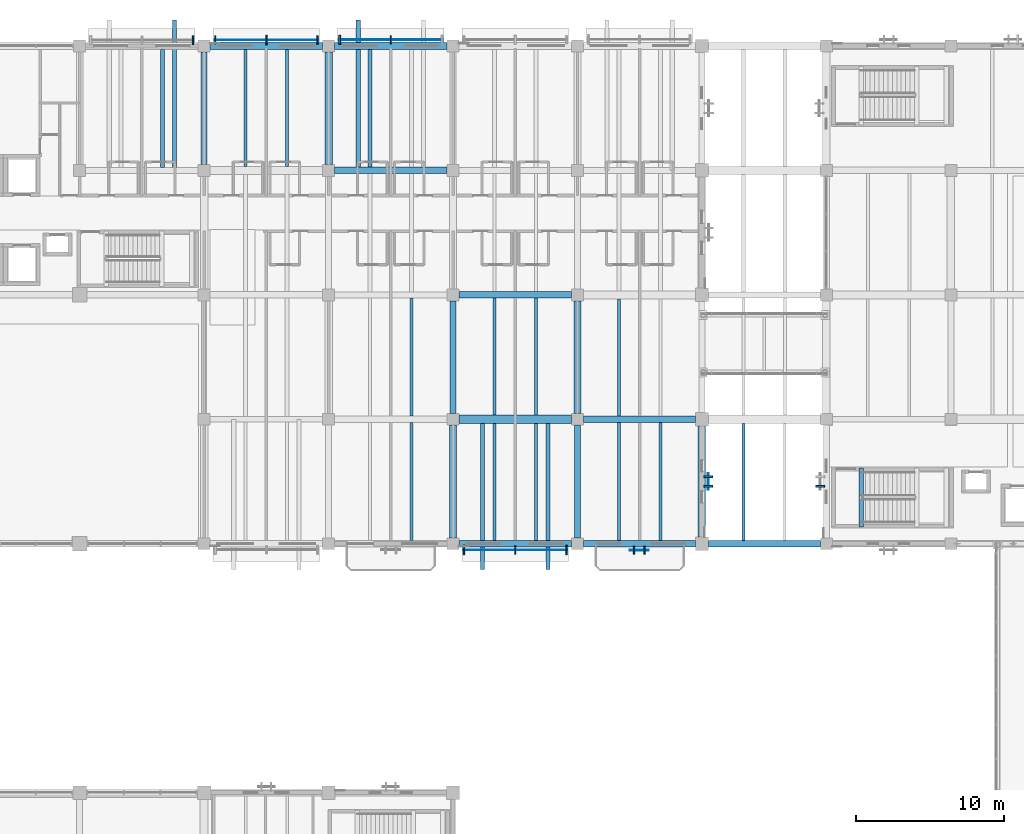
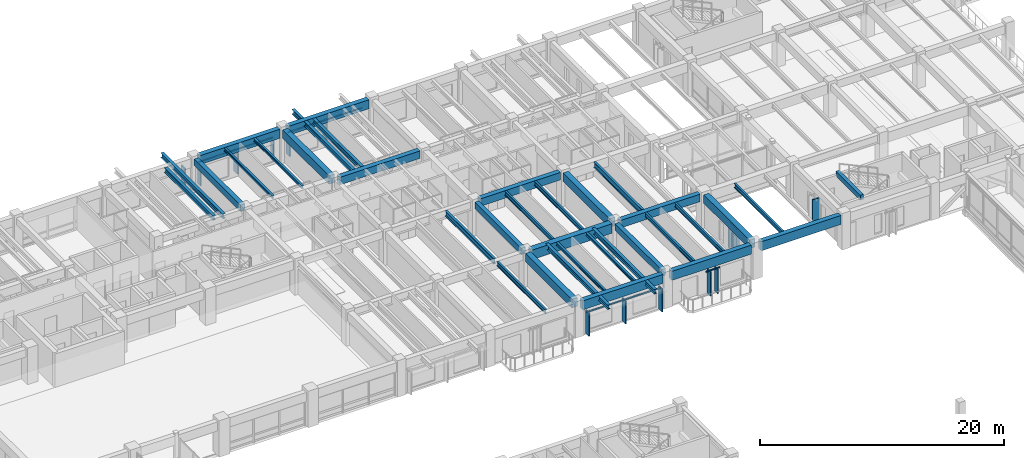
# One storey, part 33 of 118: 35 beams, 19 members, 7 elements without a shape of their own.
"""IFC4 building model written with IfcOpenShell, lengths in metres."""

from ifc_helpers import new_model, si_unit, direction, frame, origin, origin_2d, place, context, subcontext, project, spatial, rectangle, i_section, extrude, material, material_profile, profile_set, type_object, element, aggregate, save


model = new_model("IFC4")

# Units and contexts
model_context = context("Model", 3, precision=1e-05, world=origin(), true_north=direction((0.0, 1.0)))
body_context = subcontext(model_context, "Body", "Model", "MODEL_VIEW")
ifc_project = project(units=[si_unit("LENGTHUNIT", "METRE"), si_unit("AREAUNIT", "SQUARE_METRE"), si_unit("VOLUMEUNIT", "CUBIC_METRE"), si_unit("PLANEANGLEUNIT", "RADIAN"), si_unit("MASSUNIT", "GRAM", prefix="KILO")], contexts=[model_context])

# Site, building, storey
site_placement = place(None, origin())
site = spatial("IfcSite", under=ifc_project, at=site_placement, CompositionType="ELEMENT")
building_placement = place(site_placement, origin())
building = spatial("IfcBuilding", under=site, at=building_placement, Name="Cumbredor Promenade Congress Hotel", CompositionType="ELEMENT")
storey_placement = place(building_placement, frame((0.0, 0.0, 3.919921875)))
storey = spatial("IfcBuildingStorey", under=building, at=storey_placement, Name="L01", CompositionType="ELEMENT", Elevation=3.919921875)

# Beams
ifc_material_1 = material(Name="Concrete C40/50", Category="concrete")
ifc_material_profile_1 = material_profile(ifc_material_1, rectangle(XDim=0.39990234375, YDim=0.64990234375, at=origin_2d()), Name="RC BEAM 400x650")
ifc_profile_set_1 = profile_set([ifc_material_profile_1], Name="Concrete C40/50")
beam_type_1 = type_object("IfcBeamType", Name="BM-RC-400x650", PredefinedType="BEAM", material=ifc_profile_set_1)
for number, where, z_axis, x_axis, name in (
    (1, (50.39990234375, 109.60009765625, 3.03515625), (0.0, 1.0, 0.0), (-1.0, 0.0, 0.0), "L02 Y-Grid Beam 089"),
    (2, (67.199951171875, 92.800048828125, 3.03515625), (0.0, 1.0, 0.0), (-1.0, 0.0, 0.0), "L02 Y-Grid Beam 129"),
):
    element("IfcBeam", number, at=place(storey_placement, frame(where, z_axis=z_axis, x_axis=x_axis)), inside=storey, type_object=beam_type_1, Name=name, PredefinedType="BEAM", context=body_context, shape_type="SweptSolid", body=[
        extrude(rectangle(XDim=0.39990234375, YDim=0.64990234375, at=origin_2d()), origin(), (0.0, 0.0, 1.0), 7.599853515625),
    ])
beam_1_placement = place(storey_placement, frame((75.60009765625, 84.39990234375, 3.03515625), z_axis=(0.0, 1.0, 0.0), x_axis=(-1.0, 0.0, 0.0)))
element("IfcBeam", 3, at=beam_1_placement, inside=storey, type_object=beam_type_1, Name="L02 Y-Grid Beam 145", PredefinedType="BEAM", context=body_context, shape_type="SweptSolid", body=[
    extrude(rectangle(XDim=0.39990234375, YDim=0.64990234375, at=origin_2d()), origin(), (0.0, 0.0, 1.0), 7.60009765625),
])
ifc_material_profile_2 = material_profile(ifc_material_1, rectangle(XDim=0.449951171875, YDim=0.75, at=origin_2d()), Name="RC BEAM 450x750")
ifc_profile_set_2 = profile_set([ifc_material_profile_2], Name="Concrete C40/50")
beam_type_2 = type_object("IfcBeamType", Name="BM-RC-450x750", PredefinedType="BEAM", material=ifc_profile_set_2)
beam_2_placement = place(storey_placement, frame((59.199951171875, 109.199951171875, 2.985107421875), z_axis=(1.0, 0.0, 0.0), x_axis=(0.0, 1.0, 0.0)))
element("IfcBeam", 4, at=beam_2_placement, inside=storey, type_object=beam_type_2, Name="L02 X-Grid Beam 110", PredefinedType="BEAM", context=body_context, shape_type="SweptSolid", body=[
    extrude(rectangle(XDim=0.449951171875, YDim=0.75, at=origin_2d()), origin(), (0.0, 0.0, 1.0), 7.60009765625),
])
beam_3_placement = place(storey_placement, frame((67.60009765625, 100.800048828125, 2.985107421875), z_axis=(1.0, 0.0, 0.0), x_axis=(0.0, 1.0, 0.0)))
element("IfcBeam", 5, at=beam_3_placement, inside=storey, type_object=beam_type_2, Name="L02 X-Grid Beam 130", PredefinedType="BEAM", context=body_context, shape_type="SweptSolid", body=[
    extrude(rectangle(XDim=0.449951171875, YDim=0.75, at=origin_2d()), origin(), (0.0, 0.0, 1.0), 7.599853515625),
])
beam_4_placement = place(storey_placement, frame((76.0, 92.39990234375, 2.985107421875), z_axis=(1.0, 0.0, 0.0), x_axis=(0.0, 1.0, 0.0)))
element("IfcBeam", 6, at=beam_4_placement, inside=storey, type_object=beam_type_2, Name="L02 X-Grid Beam 146", PredefinedType="BEAM", context=body_context, shape_type="SweptSolid", body=[
    extrude(rectangle(XDim=0.449951171875, YDim=0.75, at=origin_2d()), origin(), (0.0, 0.0, 1.0), 7.550048828125),
])
ifc_material_profile_3 = material_profile(ifc_material_1, rectangle(XDim=0.5, YDim=0.85009765625, at=origin_2d()), Name="RC BEAM 500x850")
ifc_profile_set_3 = profile_set([ifc_material_profile_3], Name="Concrete C40/50")
beam_type_3 = type_object("IfcBeamType", Name="BM-RC-500x850", PredefinedType="BEAM", material=ifc_profile_set_3)
beam_5_placement = place(storey_placement, frame((58.800048828125, 109.60009765625, 2.93505859375), z_axis=(0.0, 1.0, 0.0), x_axis=(-1.0, 0.0, 0.0)))
element("IfcBeam", 7, at=beam_5_placement, inside=storey, type_object=beam_type_3, Name="L02 Y-Grid Beam 111", PredefinedType="BEAM", context=body_context, shape_type="SweptSolid", body=[
    extrude(rectangle(XDim=0.5, YDim=0.85009765625, at=origin_2d()), origin(), (0.0, 0.0, 1.0), 7.599853515625),
])
beam_6_placement = place(storey_placement, frame((67.199951171875, 84.39990234375, 2.93505859375), z_axis=(0.0, 1.0, 0.0), x_axis=(-1.0, 0.0, 0.0)))
element("IfcBeam", 8, at=beam_6_placement, inside=storey, type_object=beam_type_3, Name="L02 Y-Grid Beam 127", PredefinedType="BEAM", context=body_context, shape_type="SweptSolid", body=[
    extrude(rectangle(XDim=0.5, YDim=0.85009765625, at=origin_2d()), origin(), (0.0, 0.0, 1.0), 7.60009765625),
])
beam_7_placement = place(storey_placement, frame((75.60009765625, 92.800048828125, 2.93505859375), z_axis=(0.0, 1.0, 0.0), x_axis=(-1.0, 0.0, 0.0)))
element("IfcBeam", 9, at=beam_7_placement, inside=storey, type_object=beam_type_3, Name="L02 Y-Grid Beam 147", PredefinedType="BEAM", context=body_context, shape_type="SweptSolid", body=[
    extrude(rectangle(XDim=0.5, YDim=0.85009765625, at=origin_2d()), origin(), (0.0, 0.0, 1.0), 7.599853515625),
])
beam_8_placement = place(storey_placement, frame((84.0, 84.449951171875, 2.93505859375), z_axis=(0.0, 1.0, 0.0), x_axis=(-1.0, 0.0, 0.0)))
element("IfcBeam", 10, at=beam_8_placement, inside=storey, type_object=beam_type_3, Name="L02 Y-Grid Beam 159", PredefinedType="BEAM", context=body_context, shape_type="SweptSolid", body=[
    extrude(rectangle(XDim=0.5, YDim=0.85009765625, at=origin_2d()), origin(), (0.0, 0.0, 1.0), 7.5),
])
ifc_material_profile_4 = material_profile(ifc_material_1, rectangle(XDim=0.550048828125, YDim=0.949951171875, at=origin_2d()), Name="RC BEAM 550x950")
ifc_profile_set_4 = profile_set([ifc_material_profile_4], Name="Concrete C40/50")
beam_type_4 = type_object("IfcBeamType", Name="BM-RC-550x950", PredefinedType="BEAM", material=ifc_profile_set_4)
beam_9_placement = place(storey_placement, frame((67.60009765625, 92.39990234375, 2.885009765625), z_axis=(1.0, 0.0, 0.0), x_axis=(0.0, 1.0, 0.0)))
element("IfcBeam", 11, at=beam_9_placement, inside=storey, type_object=beam_type_4, Name="L02 X-Grid Beam 128", PredefinedType="BEAM", context=body_context, shape_type="SweptSolid", body=[
    extrude(rectangle(XDim=0.550048828125, YDim=0.949951171875, at=origin_2d()), origin(), (0.0, 0.0, 1.0), 7.599853515625),
])

# Curtain wall, member
ifc_material_2 = material(Name="Thermally broken anodized aluminium and low-E glass", Category="aluminium")
curtain_wall_type = type_object("IfcCurtainWallType", Name="Solar Brise-Soleil Screen Assembly CW-07", PredefinedType="NOTDEFINED", material=ifc_material_2)
curtain_wall_1_placement = place(storey_placement, origin())
curtain_wall_1 = element("IfcCurtainWall", 12, at=curtain_wall_1_placement, inside=storey, type_object=curtain_wall_type, Name="L01 Hospitality Brise-Soleil Screen 020", PredefinedType="NOTDEFINED")
ifc_material_3 = material(Name="Thermally broken anodized aluminium", Category="aluminium")
ifc_material_profile_5 = material_profile(ifc_material_3, rectangle(XDim=0.06494140625, YDim=0.1298828125, at=origin_2d()), Name="ALU TRANSOM 65x130")
ifc_profile_set_5 = profile_set([ifc_material_profile_5], Name="Thermally broken anodized aluminium")
member_type_1 = type_object("IfcMemberType", Name="Curtain Wall Transom TR-01", PredefinedType="USERDEFINED", material=ifc_profile_set_5)
member_1_placement = place(storey_placement, frame((67.90087890625, 83.577392578125, 2.26513671875), z_axis=(1.0, 0.0, 0.0), x_axis=(0.0, 1.0, 0.0)))
member_1 = element("IfcMember", 13, at=member_1_placement, type_object=member_type_1, Name="L01 Brise-Soleil Screen Transom 020", ObjectType="TRANSOM", PredefinedType="USERDEFINED", context=body_context, shape_type="SweptSolid", body=[
    extrude(rectangle(XDim=0.06494140625, YDim=0.1298828125, at=origin_2d()), origin(), (0.0, 0.0, 1.0), 6.998046875),
])

curtain_wall_2_placement = place(storey_placement, origin())
curtain_wall_2 = element("IfcCurtainWall", 14, at=curtain_wall_2_placement, inside=storey, type_object=curtain_wall_type, Name="L01 Veranda Solar Brise-Soleil Screen 301", PredefinedType="NOTDEFINED")
member_2_placement = place(storey_placement, frame((79.125, 83.56494140625, 2.364990234375), z_axis=(1.0, 0.0, 0.0), x_axis=(0.0, 1.0, 0.0)))
member_2 = element("IfcMember", 15, at=member_2_placement, type_object=member_type_1, Name="L01 Brise-Soleil Header Tie 0303", ObjectType="TRANSOM", PredefinedType="USERDEFINED", context=body_context, shape_type="SweptSolid", body=[
    extrude(rectangle(XDim=0.06494140625, YDim=0.1298828125, at=origin_2d()), origin(), (0.0, 0.0, 1.0), 1.300048828125),
])

curtain_wall_3_placement = place(storey_placement, origin())
curtain_wall_3 = element("IfcCurtainWall", 16, at=curtain_wall_3_placement, inside=storey, type_object=curtain_wall_type, Name="L01 Hospitality Brise-Soleil Screen 026", PredefinedType="NOTDEFINED")
member_3_placement = place(storey_placement, frame((51.10107421875, 118.0, 2.26513671875), z_axis=(1.0, 0.0, 0.0), x_axis=(0.0, 1.0, 0.0)))
member_3 = element("IfcMember", 17, at=member_3_placement, type_object=member_type_1, Name="L01 Brise-Soleil Screen Transom 026", ObjectType="TRANSOM", PredefinedType="USERDEFINED", context=body_context, shape_type="SweptSolid", body=[
    extrude(rectangle(XDim=0.06494140625, YDim=0.1298828125, at=origin_2d()), origin(), (0.0, 0.0, 1.0), 6.998046875),
])

curtain_wall_4_placement = place(storey_placement, origin())
curtain_wall_4 = element("IfcCurtainWall", 18, at=curtain_wall_4_placement, inside=storey, type_object=curtain_wall_type, Name="L01 Hospitality Brise-Soleil Screen 027", PredefinedType="NOTDEFINED")
member_4_placement = place(storey_placement, frame((59.5009765625, 118.010009765625, 2.26513671875), z_axis=(1.0, 0.0, 0.0), x_axis=(0.0, 1.0, 0.0)))
member_4 = element("IfcMember", 19, at=member_4_placement, type_object=member_type_1, Name="L01 Brise-Soleil Screen Transom 027", ObjectType="TRANSOM", PredefinedType="USERDEFINED", context=body_context, shape_type="SweptSolid", body=[
    extrude(rectangle(XDim=0.06494140625, YDim=0.1298828125, at=origin_2d()), origin(), (0.0, 0.0, 1.0), 6.998046875),
])

curtain_wall_5_placement = place(storey_placement, origin())
curtain_wall_5 = element("IfcCurtainWall", 20, at=curtain_wall_5_placement, inside=storey, type_object=curtain_wall_type, Name="L01 Pier Brise-Soleil Screen 0343", PredefinedType="NOTDEFINED")
member_5_placement = place(storey_placement, frame((84.422607421875, 87.64990234375, 2.3349609375), z_axis=(0.0, 1.0, 0.0), x_axis=(-1.0, 0.0, 0.0)))
member_5 = element("IfcMember", 21, at=member_5_placement, type_object=member_type_1, Name="L01 Pier Brise-Soleil Header 0345", ObjectType="TRANSOM", PredefinedType="USERDEFINED", context=body_context, shape_type="SweptSolid", body=[
    extrude(rectangle(XDim=0.06494140625, YDim=0.1298828125, at=origin_2d()), origin(), (0.0, 0.0, 1.0), 1.10009765625),
])

# Beams
ifc_material_4 = material(Name="Steel ASTM A992 Grade 50", Category="steel")
ifc_material_profile_6 = material_profile(ifc_material_4, i_section(OverallWidth=0.202880859375, OverallDepth=0.302978515625, WebThickness=0.007568359375, FlangeThickness=0.01318359375, at=origin_2d()), Name="W12X40")
ifc_profile_set_6 = profile_set([ifc_material_profile_6], Name="Steel ASTM A992 Grade 50")
beam_type_5 = type_object("IfcBeamType", Name="JST-W12X40", PredefinedType="JOIST", material=ifc_profile_set_6)
for number, where, z_axis, x_axis, name in (
    (22, (53.199951171875, 109.47509765625, 3.20849609375), (0.0, 1.0, 0.0), (-1.0, 0.0, 0.0), "L02 Secondary Floor Joist 0042"),
    (23, (56.0, 109.47509765625, 3.20849609375), (0.0, 1.0, 0.0), (-1.0, 0.0, 0.0), "L02 Secondary Floor Joist 0043"),
    (24, (70.0, 84.22509765625, 3.20849609375), (0.0, 1.0, 0.0), (-1.0, 0.0, 0.0), "L02 Secondary Floor Joist 0072"),
    (25, (72.800048828125, 84.22509765625, 3.20849609375), (0.0, 1.0, 0.0), (-1.0, 0.0, 0.0), "L02 Secondary Floor Joist 0073"),
):
    element("IfcBeam", number, at=place(storey_placement, frame(where, z_axis=z_axis, x_axis=x_axis)), inside=storey, type_object=beam_type_5, Name=name, PredefinedType="JOIST", context=body_context, shape_type="SweptSolid", body=[
        extrude(i_section(OverallWidth=0.202880859375, OverallDepth=0.302978515625, WebThickness=0.007568359375, FlangeThickness=0.01318359375, at=origin_2d()), origin(), (0.0, 0.0, 1.0), 7.89990234375),
    ])
ifc_material_profile_7 = material_profile(ifc_material_4, i_section(OverallWidth=0.180908203125, OverallDepth=0.4169921875, WebThickness=0.010986328125, FlangeThickness=0.018310546875, at=origin_2d()), Name="W16X57")
ifc_profile_set_7 = profile_set([ifc_material_profile_7], Name="Steel ASTM A992 Grade 50")
beam_type_6 = type_object("IfcBeamType", Name="JST-W16X57", PredefinedType="JOIST", material=ifc_profile_set_7)
beam_10_placement = place(storey_placement, frame((64.39990234375, 84.22509765625, 3.151611328125), z_axis=(0.0, 1.0, 0.0), x_axis=(-1.0, 0.0, 0.0)))
element("IfcBeam", 26, at=beam_10_placement, inside=storey, type_object=beam_type_6, Name="L02 Secondary Floor Joist 0055", PredefinedType="JOIST", context=body_context, shape_type="SweptSolid", body=[
    extrude(i_section(OverallWidth=0.180908203125, OverallDepth=0.4169921875, WebThickness=0.010986328125, FlangeThickness=0.018310546875, at=origin_2d()), origin(), (0.0, 0.0, 1.0), 7.949951171875),
])
for number, where, z_axis, x_axis, name in (
    (27, (70.0, 92.675048828125, 3.151611328125), (0.0, 1.0, 0.0), (-1.0, 0.0, 0.0), "L02 Secondary Floor Joist 0074"),
    (28, (72.800048828125, 92.675048828125, 3.151611328125), (0.0, 1.0, 0.0), (-1.0, 0.0, 0.0), "L02 Secondary Floor Joist 0075"),
):
    element("IfcBeam", number, at=place(storey_placement, frame(where, z_axis=z_axis, x_axis=x_axis)), inside=storey, type_object=beam_type_6, Name=name, PredefinedType="JOIST", context=body_context, shape_type="SweptSolid", body=[
        extrude(i_section(OverallWidth=0.180908203125, OverallDepth=0.4169921875, WebThickness=0.010986328125, FlangeThickness=0.018310546875, at=origin_2d()), origin(), (0.0, 0.0, 1.0), 7.89990234375),
    ])
for number, where, z_axis, x_axis, name in (
    (29, (78.39990234375, 84.22509765625, 3.151611328125), (0.0, 1.0, 0.0), (-1.0, 0.0, 0.0), "L02 Secondary Floor Joist 0084"),
    (30, (81.199951171875, 84.22509765625, 3.151611328125), (0.0, 1.0, 0.0), (-1.0, 0.0, 0.0), "L02 Secondary Floor Joist 0085"),
):
    element("IfcBeam", number, at=place(storey_placement, frame(where, z_axis=z_axis, x_axis=x_axis)), inside=storey, type_object=beam_type_6, Name=name, PredefinedType="JOIST", context=body_context, shape_type="SweptSolid", body=[
        extrude(i_section(OverallWidth=0.180908203125, OverallDepth=0.4169921875, WebThickness=0.010986328125, FlangeThickness=0.018310546875, at=origin_2d()), origin(), (0.0, 0.0, 1.0), 7.949951171875),
    ])
beam_11_placement = place(storey_placement, frame((86.800048828125, 84.22509765625, 3.151611328125), z_axis=(0.0, 1.0, 0.0), x_axis=(-1.0, 0.0, 0.0)))
element("IfcBeam", 31, at=beam_11_placement, inside=storey, type_object=beam_type_6, Name="L02 Secondary Floor Joist 0094", PredefinedType="JOIST", context=body_context, shape_type="SweptSolid", body=[
    extrude(i_section(OverallWidth=0.180908203125, OverallDepth=0.4169921875, WebThickness=0.010986328125, FlangeThickness=0.018310546875, at=origin_2d()), origin(), (0.0, 0.0, 1.0), 7.89990234375),
])
ifc_material_profile_8 = material_profile(ifc_material_4, i_section(OverallWidth=0.280029296875, OverallDepth=0.462890625, WebThickness=0.0107421875, FlangeThickness=0.017333984375, at=origin_2d()), Name="W18X76")
ifc_profile_set_8 = profile_set([ifc_material_profile_8], Name="Steel ASTM A992 Grade 50")
beam_type_7 = type_object("IfcBeamType", Name="JST-W18X76", PredefinedType="JOIST", material=ifc_profile_set_8)
for number, where, z_axis, x_axis, name in (
    (32, (48.39990234375, 109.199951171875, 3.128662109375), (0.0, 1.0, 0.0), (-1.0, 0.0, 0.0), "L02 Balcony Back-Spanned Outrigger Beam 006.2"),
    (33, (60.800048828125, 109.199951171875, 3.128662109375), (0.0, 1.0, 0.0), (-1.0, 0.0, 0.0), "L02 Balcony Back-Spanned Outrigger Beam 007.1"),
):
    element("IfcBeam", number, at=place(storey_placement, frame(where, z_axis=z_axis, x_axis=x_axis)), inside=storey, type_object=beam_type_7, Name=name, PredefinedType="JOIST", context=body_context, shape_type="SweptSolid", body=[
        extrude(i_section(OverallWidth=0.280029296875, OverallDepth=0.462890625, WebThickness=0.0107421875, FlangeThickness=0.017333984375, at=origin_2d()), origin(), (0.0, 0.0, 1.0), 10.150146484375),
    ])
for number, where, z_axis, x_axis, name in (
    (34, (69.199951171875, 82.25, 3.128662109375), (0.0, 1.0, 0.0), (-1.0, 0.0, 0.0), "L02 Balcony Back-Spanned Outrigger Beam 011.1"),
    (35, (73.60009765625, 82.25, 3.128662109375), (0.0, 1.0, 0.0), (-1.0, 0.0, 0.0), "L02 Balcony Back-Spanned Outrigger Beam 011.2"),
):
    element("IfcBeam", number, at=place(storey_placement, frame(where, z_axis=z_axis, x_axis=x_axis)), inside=storey, type_object=beam_type_7, Name=name, PredefinedType="JOIST", context=body_context, shape_type="SweptSolid", body=[
        extrude(i_section(OverallWidth=0.280029296875, OverallDepth=0.462890625, WebThickness=0.0107421875, FlangeThickness=0.017333984375, at=origin_2d()), origin(), (0.0, 0.0, 1.0), 10.14990234375),
    ])
beam_12_placement = place(storey_placement, frame((47.60009765625, 109.39990234375, 3.128662109375), z_axis=(0.0, 1.0, 0.0), x_axis=(-1.0, 0.0, 0.0)))
element("IfcBeam", 36, at=beam_12_placement, inside=storey, type_object=beam_type_7, Name="L02 Secondary Floor Joist 0031", PredefinedType="JOIST", context=body_context, shape_type="SweptSolid", body=[
    extrude(i_section(OverallWidth=0.280029296875, OverallDepth=0.462890625, WebThickness=0.0107421875, FlangeThickness=0.017333984375, at=origin_2d()), origin(), (0.0, 0.0, 1.0), 7.97509765625),
])
beam_13_placement = place(storey_placement, frame((61.60009765625, 109.425048828125, 3.128662109375), z_axis=(0.0, 1.0, 0.0), x_axis=(-1.0, 0.0, 0.0)))
element("IfcBeam", 37, at=beam_13_placement, inside=storey, type_object=beam_type_7, Name="L02 Secondary Floor Joist 0060", PredefinedType="JOIST", context=body_context, shape_type="SweptSolid", body=[
    extrude(i_section(OverallWidth=0.280029296875, OverallDepth=0.462890625, WebThickness=0.0107421875, FlangeThickness=0.017333984375, at=origin_2d()), origin(), (0.0, 0.0, 1.0), 7.949951171875),
])
ifc_material_profile_9 = material_profile(ifc_material_4, i_section(OverallWidth=0.214111328125, OverallDepth=0.549072265625, WebThickness=0.0146484375, FlangeThickness=0.023681640625, at=origin_2d()), Name="W21X93")
ifc_profile_set_9 = profile_set([ifc_material_profile_9], Name="Steel ASTM A992 Grade 50")
beam_type_8 = type_object("IfcBeamType", Name="JST-W21X93", PredefinedType="JOIST", material=ifc_profile_set_9)
beam_14_placement = place(storey_placement, frame((64.39990234375, 92.625, 3.085693359375), z_axis=(0.0, 1.0, 0.0), x_axis=(-1.0, 0.0, 0.0)))
element("IfcBeam", 38, at=beam_14_placement, inside=storey, type_object=beam_type_8, Name="L02 Secondary Floor Joist 0057", PredefinedType="JOIST", context=body_context, shape_type="SweptSolid", body=[
    extrude(i_section(OverallWidth=0.214111328125, OverallDepth=0.549072265625, WebThickness=0.0146484375, FlangeThickness=0.023681640625, at=origin_2d()), origin(), (0.0, 0.0, 1.0), 7.97509765625),
])
beam_15_placement = place(storey_placement, frame((78.39990234375, 92.625, 3.085693359375), z_axis=(0.0, 1.0, 0.0), x_axis=(-1.0, 0.0, 0.0)))
element("IfcBeam", 39, at=beam_15_placement, inside=storey, type_object=beam_type_8, Name="L02 Secondary Floor Joist 0086", PredefinedType="JOIST", context=body_context, shape_type="SweptSolid", body=[
    extrude(i_section(OverallWidth=0.214111328125, OverallDepth=0.549072265625, WebThickness=0.0146484375, FlangeThickness=0.023681640625, at=origin_2d()), origin(), (0.0, 0.0, 1.0), 7.89990234375),
])
ifc_material_profile_10 = material_profile(ifc_material_1, rectangle(XDim=0.300048828125, YDim=0.5, at=origin_2d()), Name="RC LINTEL 300x500")
ifc_profile_set_10 = profile_set([ifc_material_profile_10], Name="Concrete C40/50")
beam_type_9 = type_object("IfcBeamType", Name="LN-RC-300x500", PredefinedType="LINTEL", material=ifc_profile_set_10)
beam_16_placement = place(storey_placement, frame((94.75, 85.1298828125, 3.39013671875), z_axis=(0.0, 1.0, 0.0), x_axis=(-1.0, 0.0, 0.0)))
element("IfcBeam", 40, at=beam_16_placement, inside=storey, type_object=beam_type_9, Name="L02 Stair ST-13 Well Header Trimmer Beam", PredefinedType="LINTEL", context=body_context, shape_type="SweptSolid", body=[
    extrude(rectangle(XDim=0.300048828125, YDim=0.5, at=origin_2d()), origin(), (0.0, 0.0, 1.0), 3.97021484375),
])
ifc_material_profile_11 = material_profile(ifc_material_1, rectangle(XDim=0.449951171875, YDim=0.89990234375, at=origin_2d()), Name="RC SPANDREL 450x900")
ifc_profile_set_11 = profile_set([ifc_material_profile_11], Name="Concrete C40/50")
beam_type_10 = type_object("IfcBeamType", Name="SP-RC-450x900", PredefinedType="SPANDREL", material=ifc_profile_set_11)
beam_17_placement = place(storey_placement, frame((50.800048828125, 117.60009765625, 2.91015625), z_axis=(1.0, 0.0, 0.0), x_axis=(0.0, 1.0, 0.0)))
element("IfcBeam", 41, at=beam_17_placement, inside=storey, type_object=beam_type_10, Name="L02 X-Grid Beam 090", PredefinedType="SPANDREL", context=body_context, shape_type="SweptSolid", body=[
    extrude(rectangle(XDim=0.449951171875, YDim=0.89990234375, at=origin_2d()), origin(), (0.0, 0.0, 1.0), 7.599853515625),
])
beam_18_placement = place(storey_placement, frame((59.199951171875, 117.60009765625, 2.91015625), z_axis=(1.0, 0.0, 0.0), x_axis=(0.0, 1.0, 0.0)))
element("IfcBeam", 42, at=beam_18_placement, inside=storey, type_object=beam_type_10, Name="L02 X-Grid Beam 112", PredefinedType="SPANDREL", context=body_context, shape_type="SweptSolid", body=[
    extrude(rectangle(XDim=0.449951171875, YDim=0.89990234375, at=origin_2d()), origin(), (0.0, 0.0, 1.0), 7.60009765625),
])
beam_19_placement = place(storey_placement, frame((67.60009765625, 84.0, 2.91015625), z_axis=(1.0, 0.0, 0.0), x_axis=(0.0, 1.0, 0.0)))
element("IfcBeam", 43, at=beam_19_placement, inside=storey, type_object=beam_type_10, Name="L02 X-Grid Beam 126", PredefinedType="SPANDREL", context=body_context, shape_type="SweptSolid", body=[
    extrude(rectangle(XDim=0.449951171875, YDim=0.89990234375, at=origin_2d()), origin(), (0.0, 0.0, 1.0), 7.599853515625),
])
for number, where, z_axis, x_axis, name in (
    (44, (76.0, 84.0, 2.91015625), (1.0, 0.0, 0.0), (0.0, 1.0, 0.0), "L02 X-Grid Beam 144"),
    (45, (84.449951171875, 84.0, 2.91015625), (1.0, 0.0, 0.0), (0.0, 1.0, 0.0), "L02 X-Grid Beam 158"),
):
    element("IfcBeam", number, at=place(storey_placement, frame(where, z_axis=z_axis, x_axis=x_axis)), inside=storey, type_object=beam_type_10, Name=name, PredefinedType="SPANDREL", context=body_context, shape_type="SweptSolid", body=[
        extrude(rectangle(XDim=0.449951171875, YDim=0.89990234375, at=origin_2d()), origin(), (0.0, 0.0, 1.0), 7.550048828125),
    ])

# Curtain wall, member
curtain_wall_6_placement = place(storey_placement, origin())
curtain_wall_6 = element("IfcCurtainWall", 46, at=curtain_wall_6_placement, inside=storey, type_object=curtain_wall_type, Name="L01 Pier Brise-Soleil Screen 0265", PredefinedType="NOTDEFINED")
ifc_material_profile_12 = material_profile(ifc_material_3, rectangle(XDim=0.110107421875, YDim=0.6201171875, at=origin_2d()), Name="ARCH FIN 110x620")
ifc_profile_set_12 = profile_set([ifc_material_profile_12], Name="Thermally broken anodized aluminium")
member_type_2 = type_object("IfcMemberType", Name="Vertical Bronze Brise-Soleil Fin BSF-02 110x620", PredefinedType="USERDEFINED", material=ifc_profile_set_12)
member_6_placement = place(storey_placement, frame((91.9775390625, 87.8798828125, 0.02001953125), z_axis=(0.0, 0.0, 1.0), x_axis=(0.0, 1.0, 0.0)))
member_6 = element("IfcMember", 47, at=member_6_placement, type_object=member_type_2, Name="L01 Pier Brise-Soleil Fin 0266", ObjectType="SOLAR FIN", PredefinedType="USERDEFINED", context=body_context, shape_type="SweptSolid", body=[
    extrude(rectangle(XDim=0.110107421875, YDim=0.6201171875, at=origin_2d()), origin(), (0.0, 0.0, 1.0), 2.55517578125),
])
aggregate(curtain_wall_6, [member_6])

# Member
member_7_placement = place(storey_placement, frame((67.950927734375, 83.577392578125, 0.02001953125), z_axis=(0.0, 0.0, 1.0), x_axis=(1.0, 0.0, 0.0)))
member_7 = element("IfcMember", 48, at=member_7_placement, type_object=member_type_2, Name="L01 Vertical Brise-Soleil Fin 0298", ObjectType="SOLAR FIN", PredefinedType="USERDEFINED", context=body_context, shape_type="SweptSolid", body=[
    extrude(rectangle(XDim=0.110107421875, YDim=0.6201171875, at=origin_2d()), origin(), (0.0, 0.0, 1.0), 2.30517578125),
])

member_8_placement = place(storey_placement, frame((74.84912109375, 83.577392578125, 0.02001953125), z_axis=(0.0, 0.0, 1.0), x_axis=(1.0, 0.0, 0.0)))
member_8 = element("IfcMember", 49, at=member_8_placement, type_object=member_type_2, Name="L01 Vertical Brise-Soleil Fin 0300", ObjectType="SOLAR FIN", PredefinedType="USERDEFINED", context=body_context, shape_type="SweptSolid", body=[
    extrude(rectangle(XDim=0.110107421875, YDim=0.6201171875, at=origin_2d()), origin(), (0.0, 0.0, 1.0), 2.30517578125),
])

# Curtain wall, member
curtain_wall_7_placement = place(storey_placement, origin())
curtain_wall_7 = element("IfcCurtainWall", 50, at=curtain_wall_7_placement, inside=storey, type_object=curtain_wall_type, Name="L01 Hospitality Brise-Soleil Screen 025", PredefinedType="NOTDEFINED")
member_9_placement = place(storey_placement, frame((49.64892578125, 117.989990234375, 0.02001953125), z_axis=(0.0, 0.0, 1.0), x_axis=(1.0, 0.0, 0.0)))
member_9 = element("IfcMember", 51, at=member_9_placement, type_object=member_type_2, Name="L01 Vertical Brise-Soleil Fin 0318", ObjectType="SOLAR FIN", PredefinedType="USERDEFINED", context=body_context, shape_type="SweptSolid", body=[
    extrude(rectangle(XDim=0.110107421875, YDim=0.6201171875, at=origin_2d()), origin(), (0.0, 0.0, 1.0), 2.30517578125),
])
aggregate(curtain_wall_7, [member_9])

# Member
member_10_placement = place(storey_placement, frame((54.60009765625, 118.0, 0.02001953125), z_axis=(0.0, 0.0, 1.0), x_axis=(1.0, 0.0, 0.0)))
member_10 = element("IfcMember", 52, at=member_10_placement, type_object=member_type_2, Name="L01 Vertical Brise-Soleil Fin 0320", ObjectType="SOLAR FIN", PredefinedType="USERDEFINED", context=body_context, shape_type="SweptSolid", body=[
    extrude(rectangle(XDim=0.110107421875, YDim=0.6201171875, at=origin_2d()), origin(), (0.0, 0.0, 1.0), 2.30517578125),
])

member_11_placement = place(storey_placement, frame((59.551025390625, 118.010009765625, 0.02001953125), z_axis=(0.0, 0.0, 1.0), x_axis=(1.0, 0.0, 0.0)))
member_11 = element("IfcMember", 53, at=member_11_placement, type_object=member_type_2, Name="L01 Vertical Brise-Soleil Fin 0322", ObjectType="SOLAR FIN", PredefinedType="USERDEFINED", context=body_context, shape_type="SweptSolid", body=[
    extrude(rectangle(XDim=0.110107421875, YDim=0.6201171875, at=origin_2d()), origin(), (0.0, 0.0, 1.0), 2.30517578125),
])

member_12_placement = place(storey_placement, frame((84.422607421875, 87.8798828125, 0.02001953125), z_axis=(0.0, 0.0, 1.0), x_axis=(0.0, 1.0, 0.0)))
member_12 = element("IfcMember", 54, at=member_12_placement, type_object=member_type_2, Name="L01 Pier Brise-Soleil Fin 0344", ObjectType="SOLAR FIN", PredefinedType="USERDEFINED", context=body_context, shape_type="SweptSolid", body=[
    extrude(rectangle(XDim=0.110107421875, YDim=0.6201171875, at=origin_2d()), origin(), (0.0, 0.0, 1.0), 2.35498046875),
])

member_13_placement = place(storey_placement, frame((84.422607421875, 88.52001953125, 0.02001953125), z_axis=(0.0, 0.0, 1.0), x_axis=(0.0, 1.0, 0.0)))
member_13 = element("IfcMember", 55, at=member_13_placement, type_object=member_type_2, Name="L01 Pier Brise-Soleil Fin 0345", ObjectType="SOLAR FIN", PredefinedType="USERDEFINED", context=body_context, shape_type="SweptSolid", body=[
    extrude(rectangle(XDim=0.110107421875, YDim=0.6201171875, at=origin_2d()), origin(), (0.0, 0.0, 1.0), 2.35498046875),
])

aggregate(curtain_wall_5, [member_12, member_13, member_5])

ifc_material_5 = material(Name="Kiln-dried tropical hardwood", Category="wood")
ifc_material_profile_13 = material_profile(ifc_material_5, rectangle(XDim=0.090087890625, YDim=0.550048828125, at=origin_2d()), Name="ARCH FIN 90x550")
ifc_profile_set_13 = profile_set([ifc_material_profile_13], Name="Kiln-dried tropical hardwood")
member_type_3 = type_object("IfcMemberType", Name="Vertical Hardwood Brise-Soleil Fin BSF-01 90x550", PredefinedType="USERDEFINED", material=ifc_profile_set_13)
member_14_placement = place(storey_placement, frame((71.39990234375, 83.577392578125, 0.02001953125), z_axis=(0.0, 0.0, 1.0), x_axis=(1.0, 0.0, 0.0)))
member_14 = element("IfcMember", 56, at=member_14_placement, type_object=member_type_3, Name="L01 Vertical Brise-Soleil Fin 0299", ObjectType="SOLAR FIN", PredefinedType="USERDEFINED", context=body_context, shape_type="SweptSolid", body=[
    extrude(rectangle(XDim=0.090087890625, YDim=0.550048828125, at=origin_2d()), origin(), (0.0, 0.0, 1.0), 2.30517578125),
])

aggregate(curtain_wall_1, [member_1, member_7, member_14, member_8])

member_15_placement = place(storey_placement, frame((79.425048828125, 83.56494140625, -0.010009765625), z_axis=(0.0, 0.0, 1.0), x_axis=(1.0, 0.0, 0.0)))
member_15 = element("IfcMember", 57, at=member_15_placement, type_object=member_type_3, Name="L01 Vertical Hardwood Brise-Soleil Fin 0302", ObjectType="SOLAR FIN", PredefinedType="USERDEFINED", context=body_context, shape_type="SweptSolid", body=[
    extrude(rectangle(XDim=0.090087890625, YDim=0.550048828125, at=origin_2d()), origin(), (0.0, 0.0, 1.0), 2.43505859375),
])

member_16_placement = place(storey_placement, frame((80.125, 83.56494140625, -0.010009765625), z_axis=(0.0, 0.0, 1.0), x_axis=(1.0, 0.0, 0.0)))
member_16 = element("IfcMember", 58, at=member_16_placement, type_object=member_type_3, Name="L01 Vertical Hardwood Brise-Soleil Fin 0303", ObjectType="SOLAR FIN", PredefinedType="USERDEFINED", context=body_context, shape_type="SweptSolid", body=[
    extrude(rectangle(XDim=0.090087890625, YDim=0.550048828125, at=origin_2d()), origin(), (0.0, 0.0, 1.0), 2.43505859375),
])

aggregate(curtain_wall_2, [member_15, member_16, member_2])

member_17_placement = place(storey_placement, frame((51.15087890625, 118.0, 0.02001953125), z_axis=(0.0, 0.0, 1.0), x_axis=(1.0, 0.0, 0.0)))
member_17 = element("IfcMember", 59, at=member_17_placement, type_object=member_type_3, Name="L01 Vertical Brise-Soleil Fin 0319", ObjectType="SOLAR FIN", PredefinedType="USERDEFINED", context=body_context, shape_type="SweptSolid", body=[
    extrude(rectangle(XDim=0.090087890625, YDim=0.550048828125, at=origin_2d()), origin(), (0.0, 0.0, 1.0), 2.30517578125),
])

member_18_placement = place(storey_placement, frame((58.049072265625, 118.0, 0.02001953125), z_axis=(0.0, 0.0, 1.0), x_axis=(1.0, 0.0, 0.0)))
member_18 = element("IfcMember", 60, at=member_18_placement, type_object=member_type_3, Name="L01 Vertical Brise-Soleil Fin 0321", ObjectType="SOLAR FIN", PredefinedType="USERDEFINED", context=body_context, shape_type="SweptSolid", body=[
    extrude(rectangle(XDim=0.090087890625, YDim=0.550048828125, at=origin_2d()), origin(), (0.0, 0.0, 1.0), 2.30517578125),
])

aggregate(curtain_wall_3, [member_3, member_17, member_10, member_18])

member_19_placement = place(storey_placement, frame((63.0, 118.010009765625, 0.02001953125), z_axis=(0.0, 0.0, 1.0), x_axis=(1.0, 0.0, 0.0)))
member_19 = element("IfcMember", 61, at=member_19_placement, type_object=member_type_3, Name="L01 Vertical Brise-Soleil Fin 0323", ObjectType="SOLAR FIN", PredefinedType="USERDEFINED", context=body_context, shape_type="SweptSolid", body=[
    extrude(rectangle(XDim=0.090087890625, YDim=0.550048828125, at=origin_2d()), origin(), (0.0, 0.0, 1.0), 2.30517578125),
])

aggregate(curtain_wall_4, [member_4, member_11, member_19])

save(model, "model.ifc")
